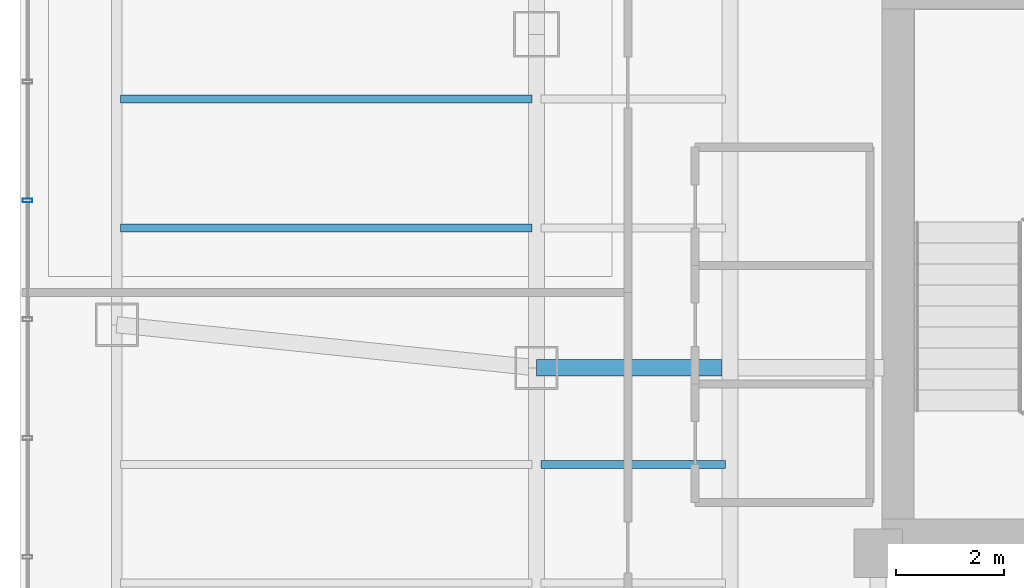
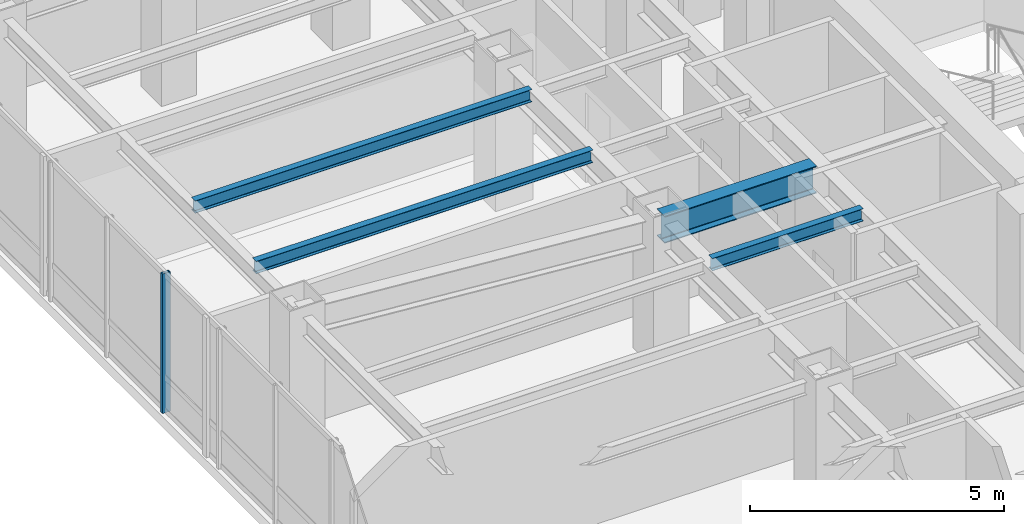
# One storey, part 8 of 27: 4 beams, 1 member, 1 element without a shape of its own.
"""IFC4 building model written with IfcOpenShell, lengths in metres."""

from ifc_helpers import new_model, si_unit, direction, frame, origin, origin_2d, place, context, subcontext, project, spatial, hollow_rectangle, i_section, extrude, material, layer, layer_set, material_profile, profile_set, type_object, element, aggregate, save


model = new_model("IFC4")

# Units and contexts
model_context = context("Model", 3, precision=1e-05, world=origin(), true_north=direction((0.0, 1.0)))
body_context = subcontext(model_context, "Body", "Model", "MODEL_VIEW")
ifc_project = project(units=[si_unit("LENGTHUNIT", "METRE"), si_unit("AREAUNIT", "SQUARE_METRE"), si_unit("VOLUMEUNIT", "CUBIC_METRE"), si_unit("PLANEANGLEUNIT", "RADIAN"), si_unit("MASSUNIT", "GRAM", prefix="KILO")], contexts=[model_context])

# Site, building, storey
site_placement = place(None, origin())
site = spatial("IfcSite", under=ifc_project, at=site_placement, CompositionType="ELEMENT")
building_placement = place(site_placement, origin())
building = spatial("IfcBuilding", under=site, at=building_placement, Name="Hatsunagi Terrace Concourse", CompositionType="ELEMENT")
storey_placement = place(building_placement, frame((0.0, 0.0, 145.64990234375)))
storey = spatial("IfcBuildingStorey", under=building, at=storey_placement, Name="L38", CompositionType="ELEMENT", Elevation=145.64990234375)

# Curtain wall, member
ifc_material_1 = material(Name="Anodised Aluminium Alloy 6063-T5", Category="aluminium")
ifc_layer = layer(ifc_material_1, 0.199951171875)
ifc_layer_set = layer_set([ifc_layer], Name="OfficeZone1_CW03")
curtain_wall_type = type_object("IfcCurtainWallType", Name="OfficeZone1_CW03", PredefinedType="NOTDEFINED", material=ifc_layer_set)
curtain_wall_placement = place(storey_placement, origin())
curtain_wall = element("IfcCurtainWall", 1, at=curtain_wall_placement, inside=storey, type_object=curtain_wall_type, Name="Unitised Curtain Wall CW-03 CW-L38-09", PredefinedType="NOTDEFINED")
ifc_material_2 = material(Name="Anodised Aluminium Alloy 6063-T5", Category="aluminium")
ifc_material_profile_1 = material_profile(ifc_material_2, hollow_rectangle(XDim=0.070068359375, YDim=0.179931640625, WallThickness=0.00390625, at=origin_2d()), Name="ALU-MUL-180x70x4")
ifc_profile_set_1 = profile_set([ifc_material_profile_1], Name="Anodised Aluminium Alloy 6063-T5")
member_type = type_object("IfcMemberType", Name="CurtainWallMullion_180x70", PredefinedType="MULLION", material=ifc_profile_set_1)
member_placement = place(storey_placement, frame((9.739990234375, 39.10791015625, 0.0), z_axis=(0.0, 0.0, 1.0), x_axis=(0.0, 1.0, 0.0)))
member = element("IfcMember", 2, at=member_placement, type_object=member_type, Name="Curtain Wall Mullion MUL-02", PredefinedType="MULLION", context=body_context, shape_type="SweptSolid", body=[
    extrude(hollow_rectangle(XDim=0.070068359375, YDim=0.179931640625, WallThickness=0.00390625, at=origin_2d()), origin(), (0.0, 0.0, 1.0), 3.35009765625),
])
aggregate(curtain_wall, [member])

# Beams
ifc_material_3 = material(Name="Steel SN490B", Category="steel")
ifc_material_profile_2 = material_profile(ifc_material_3, i_section(OverallWidth=0.14990234375, OverallDepth=0.300048828125, WebThickness=0.006591796875, FlangeThickness=0.009033203125, FilletRadius=0.010986328125, at=origin_2d()), Name="H-300x150x6.5x9")
ifc_profile_set_2 = profile_set([ifc_material_profile_2], Name="Steel SN490B")
beam_type_1 = type_object("IfcBeamType", Name="OfficeJoist_H_300x150", PredefinedType="JOIST", material=ifc_profile_set_2)
beam_1_placement = place(storey_placement, frame((19.284912109375, 34.199951171875, 3.2001953125), z_axis=(1.0, 0.0, 0.0), x_axis=(0.0, 1.0, 0.0)))
element("IfcBeam", 3, at=beam_1_placement, inside=storey, type_object=beam_type_1, Name="Beam J-03 J-L38-W-19-342", PredefinedType="JOIST", context=body_context, shape_type="SweptSolid", body=[
    extrude(i_section(OverallWidth=0.14990234375, OverallDepth=0.300048828125, WebThickness=0.006591796875, FlangeThickness=0.009033203125, FilletRadius=0.010986328125, at=origin_2d()), origin(), (0.0, 0.0, 1.0), 3.43017578125),
])
for number, where, z_axis, x_axis, name in (
    (4, (11.465087890625, 38.60009765625, 3.2001953125), (1.0, 0.0, 0.0), (0.0, 1.0, 0.0), "Beam J-03 J-L38-W-11-386"),
    (5, (11.465087890625, 41.0, 3.2001953125), (1.0, 0.0, 0.0), (0.0, 1.0, 0.0), "Beam J-03 J-L38-W-11-410"),
):
    element("IfcBeam", number, at=place(storey_placement, frame(where, z_axis=z_axis, x_axis=x_axis)), inside=storey, type_object=beam_type_1, Name=name, PredefinedType="JOIST", context=body_context, shape_type="SweptSolid", body=[
        extrude(i_section(OverallWidth=0.14990234375, OverallDepth=0.300048828125, WebThickness=0.006591796875, FlangeThickness=0.009033203125, FilletRadius=0.010986328125, at=origin_2d()), origin(), (0.0, 0.0, 1.0), 7.64990234375),
    ])
ifc_material_4 = material(Name="Steel SN490B", Category="steel")
ifc_material_profile_3 = material_profile(ifc_material_4, i_section(OverallWidth=0.300048828125, OverallDepth=0.64990234375, WebThickness=0.012939453125, FlangeThickness=0.02197265625, FilletRadius=0.01806640625, at=origin_2d()), Name="H-650x300x13x22")
ifc_profile_set_3 = profile_set([ifc_material_profile_3], Name="Steel SN490B")
beam_type_2 = type_object("IfcBeamType", Name="OfficeLowGirder_H_650x300", PredefinedType="BEAM", material=ifc_profile_set_3)
beam_2_placement = place(storey_placement, frame((19.199951171875, 36.0, 3.025146484375), z_axis=(1.0, 0.0, 0.0), x_axis=(0.0, 1.0, 0.0)))
element("IfcBeam", 6, at=beam_2_placement, inside=storey, type_object=beam_type_2, Name="Beam G-05 BM-L38-EW-3", PredefinedType="BEAM", context=body_context, shape_type="SweptSolid", body=[
    extrude(i_section(OverallWidth=0.300048828125, OverallDepth=0.64990234375, WebThickness=0.012939453125, FlangeThickness=0.02197265625, FilletRadius=0.01806640625, at=origin_2d()), origin(), (0.0, 0.0, 1.0), 3.449951171875),
])

save(model, "model.ifc")
